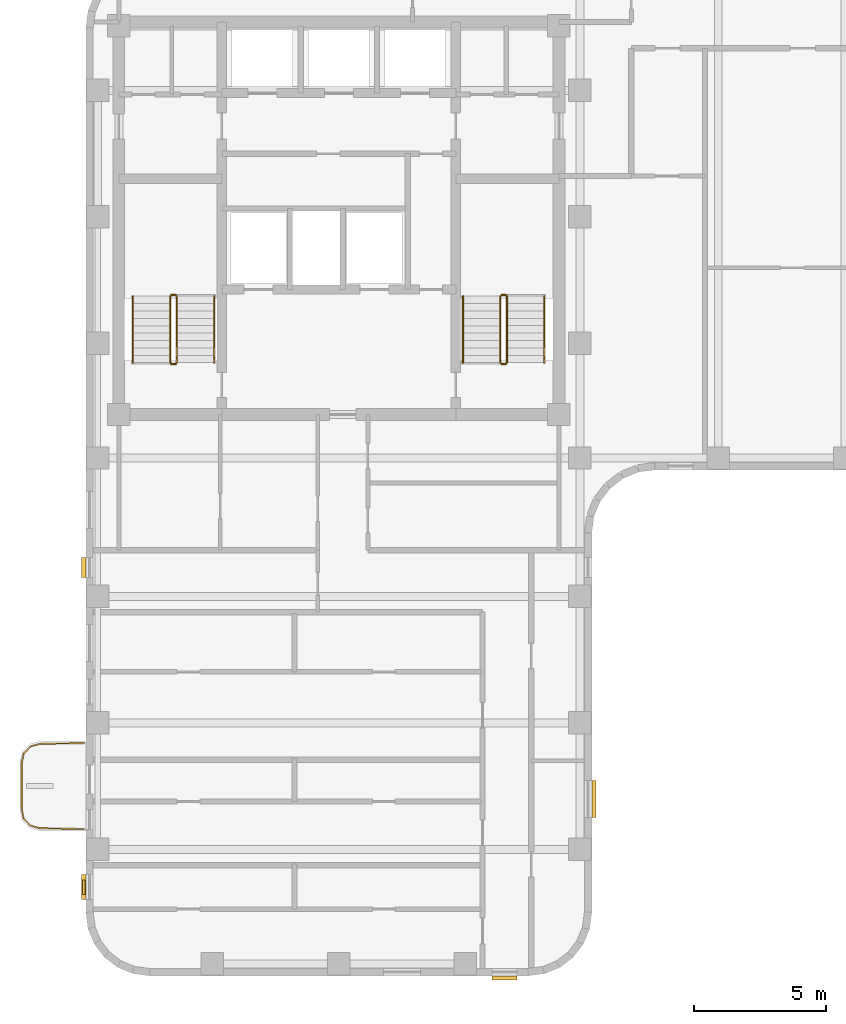
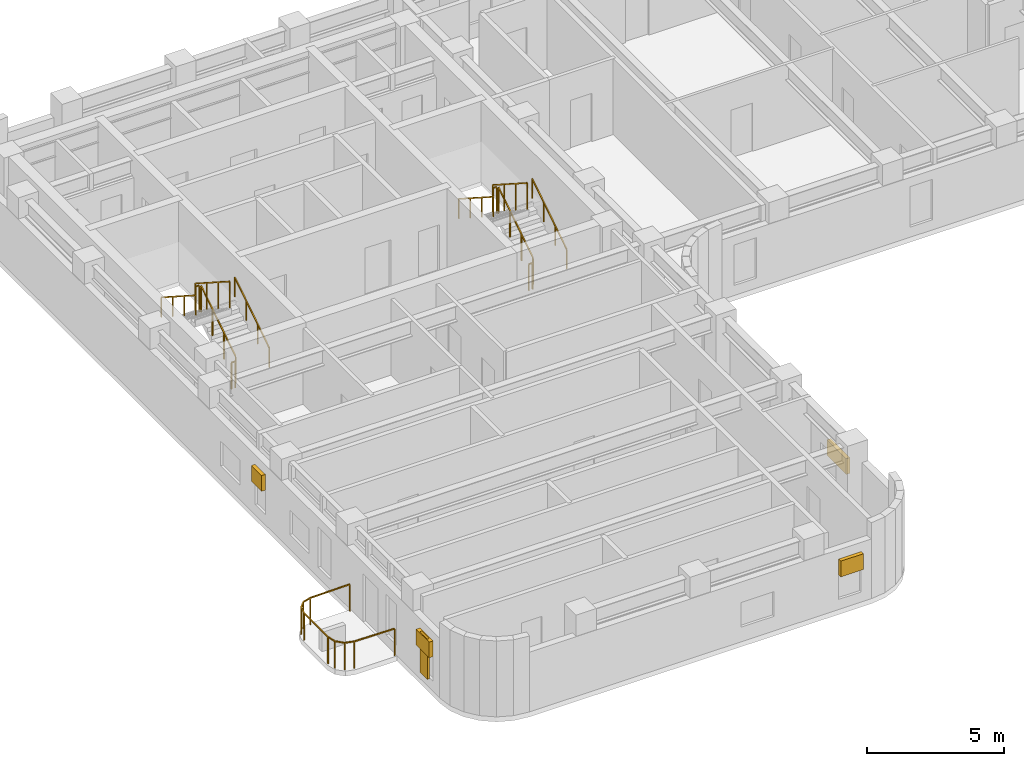
# One storey, part 8 of 10: 13 railings, 5 shading devices.
"""IFC4 building model written with IfcOpenShell, lengths in metres."""

from ifc_helpers import new_model, si_unit, direction, frame, origin, origin_2d, place, context, subcontext, project, spatial, rectangle, extrude, material, type_object, element, save


model = new_model("IFC4")

# Units and contexts
model_context = context("Model", 3, precision=1e-05, world=origin(), true_north=direction((0.0, 1.0)))
body_context = subcontext(model_context, "Body", "Model", "MODEL_VIEW")
ifc_project = project(units=[si_unit("LENGTHUNIT", "METRE"), si_unit("AREAUNIT", "SQUARE_METRE"), si_unit("VOLUMEUNIT", "CUBIC_METRE"), si_unit("PLANEANGLEUNIT", "RADIAN"), si_unit("MASSUNIT", "GRAM", prefix="KILO")], contexts=[model_context])

# Site, building, storey
site_placement = place(None, origin())
site = spatial("IfcSite", under=ifc_project, at=site_placement, CompositionType="ELEMENT")
building_placement = place(site_placement, origin())
building = spatial("IfcBuilding", under=site, at=building_placement, Name="Orvandelia Arch Residences", CompositionType="ELEMENT")
storey_placement = place(building_placement, frame((0.0, 0.0, 232.60009765625)))
storey = spatial("IfcBuildingStorey", under=building, at=storey_placement, Name="L61", CompositionType="ELEMENT", Elevation=232.60009765625)

# Railings
ifc_material_1 = material(Name="Marine-Grade Stainless Steel 316", Category="steel")
railing_type_1 = type_object("IfcRailingType", Name="GRD-BAL-1200", PredefinedType="BALUSTRADE", material=ifc_material_1)
railing_1_placement = place(storey_placement, frame((4.728271484375, 18.430419921875, 0.0)))
element("IfcRailing", 1, at=railing_1_placement, inside=storey, type_object=railing_type_1, Name="Safety Balustrade Guard GRD-L61-BAL-L61-W1-1", PredefinedType="BALUSTRADE", context=body_context, shape_type="SweptSolid", body=[
    extrude(rectangle(XDim=0.048095703125, YDim=0.048095703125, at=origin_2d()), frame((0.0, 0.0, 1.19580078125), z_axis=(-0.999834751713, -0.018178813668, 0.0), x_axis=(0.018178813668, -0.999834751713, 0.0)), (0.0, 0.0, 1.0), 1.6787109375),
    extrude(rectangle(XDim=0.048095703125, YDim=0.048095703125, at=origin_2d()), frame((-1.678466796875, -0.030517578125, 1.19580078125), z_axis=(-0.96348920644, -0.267747173792, 0.0), x_axis=(0.267747173792, -0.96348920644, 0.0)), (0.0, 0.0, 1.0), 0.36572265625),
    extrude(rectangle(XDim=0.048095703125, YDim=0.048095703125, at=origin_2d()), frame((-2.03076171875, -0.12841796875, 1.19580078125), z_axis=(-0.688627404251, -0.725115368831, 0.0), x_axis=(0.725115368831, -0.688627404251, 0.0)), (0.0, 0.0, 1.0), 0.367919921875),
    extrude(rectangle(XDim=0.048095703125, YDim=0.048095703125, at=origin_2d()), frame((-2.2841796875, -0.395263671875, 1.19580078125), z_axis=(-0.220602419982, -0.975363815352, 0.0), x_axis=(0.975363815352, -0.220602419982, 0.0)), (0.0, 0.0, 1.0), 0.373046875),
    extrude(rectangle(XDim=0.048095703125, YDim=0.048095703125, at=origin_2d()), frame((-2.366455078125, -0.759033203125, 1.19580078125), z_axis=(0.0, -1.0, 0.0), x_axis=(1.0, 0.0, 0.0)), (0.0, 0.0, 1.0), 1.74267578125),
    extrude(rectangle(XDim=0.048095703125, YDim=0.048095703125, at=origin_2d()), frame((-2.366455078125, -2.501708984375, 1.19580078125), z_axis=(0.220602419982, -0.975363815352, 0.0), x_axis=(0.975363815352, 0.220602419982, 0.0)), (0.0, 0.0, 1.0), 0.373046875),
    extrude(rectangle(XDim=0.048095703125, YDim=0.048095703125, at=origin_2d()), frame((-2.2841796875, -2.865478515625, 1.19580078125), z_axis=(0.688296224633, -0.725429739642, 0.0), x_axis=(0.725429739642, 0.688296224633, 0.0)), (0.0, 0.0, 1.0), 0.3681640625),
    extrude(rectangle(XDim=0.048095703125, YDim=0.048095703125, at=origin_2d()), frame((-2.03076171875, -3.132568359375, 1.19580078125), z_axis=(0.96348920644, -0.267747173792, 0.0), x_axis=(0.267747173792, 0.96348920644, 0.0)), (0.0, 0.0, 1.0), 0.36572265625),
    extrude(rectangle(XDim=0.048095703125, YDim=0.048095703125, at=origin_2d()), frame((-1.678466796875, -3.23046875, 1.19580078125), z_axis=(0.999837384468, -0.018033430643, 0.0), x_axis=(0.018033430643, 0.999837384468, 0.0)), (0.0, 0.0, 1.0), 1.6787109375),
    extrude(rectangle(XDim=0.0419921875, YDim=0.0419921875, at=origin_2d()), origin(), (0.0, 0.0, 1.0), 1.171875),
    extrude(rectangle(XDim=0.0419921875, YDim=0.0419921875, at=origin_2d()), frame((-1.678466796875, -0.030517578125, 0.0)), (0.0, 0.0, 1.0), 1.171875),
    extrude(rectangle(XDim=0.0419921875, YDim=0.0419921875, at=origin_2d()), frame((-2.03076171875, -0.12841796875, 0.0)), (0.0, 0.0, 1.0), 1.171875),
    extrude(rectangle(XDim=0.0419921875, YDim=0.0419921875, at=origin_2d()), frame((-2.2841796875, -0.395263671875, 0.0)), (0.0, 0.0, 1.0), 1.171875),
    extrude(rectangle(XDim=0.0419921875, YDim=0.0419921875, at=origin_2d()), frame((-2.366455078125, -0.759033203125, 0.0)), (0.0, 0.0, 1.0), 1.171875),
    extrude(rectangle(XDim=0.0419921875, YDim=0.0419921875, at=origin_2d()), frame((-2.366455078125, -2.501708984375, 0.0)), (0.0, 0.0, 1.0), 1.171875),
    extrude(rectangle(XDim=0.0419921875, YDim=0.0419921875, at=origin_2d()), frame((-2.2841796875, -2.865478515625, 0.0)), (0.0, 0.0, 1.0), 1.171875),
    extrude(rectangle(XDim=0.0419921875, YDim=0.0419921875, at=origin_2d()), frame((-2.03076171875, -3.132568359375, 0.0)), (0.0, 0.0, 1.0), 1.171875),
    extrude(rectangle(XDim=0.0419921875, YDim=0.0419921875, at=origin_2d()), frame((-1.678466796875, -3.23046875, 0.0)), (0.0, 0.0, 1.0), 1.171875),
    extrude(rectangle(XDim=0.0419921875, YDim=0.0419921875, at=origin_2d()), frame((0.0, -3.2607421875, 0.0)), (0.0, 0.0, 1.0), 1.171875),
])
ifc_material_2 = material(Name="Brushed Stainless Steel 304", Category="steel")
railing_type_2 = type_object("IfcRailingType", Name="RL-STAIR-GD1120", PredefinedType="GUARDRAIL", material=ifc_material_2)
railing_2_placement = place(storey_placement, frame((8.25, 32.8701171875, 0.179931640625)))
element("IfcRailing", 2, at=railing_2_placement, inside=storey, type_object=railing_type_2, Name="L61 ST-1 stair guard 1", PredefinedType="GUARDRAIL", context=body_context, shape_type="SweptSolid", body=[
    extrude(rectangle(XDim=0.048095703125, YDim=0.048095703125, at=origin_2d()), frame((0.0, 0.0, 1.17578125), z_axis=(0.0, 0.841175827307, 0.540761710511), x_axis=(-1.0, 0.0, 0.0)), (0.0, 0.0, 1.0), 2.99560546875),
    extrude(rectangle(XDim=0.0419921875, YDim=0.0419921875, at=origin_2d()), origin(), (0.0, 0.0, 1.0), 1.15185546875),
    extrude(rectangle(XDim=0.0419921875, YDim=0.0419921875, at=origin_2d()), frame((0.0, 0.83984375, 0.5400390625)), (0.0, 0.0, 1.0), 1.15185546875),
    extrude(rectangle(XDim=0.0419921875, YDim=0.0419921875, at=origin_2d()), frame((0.0, 1.679931640625, 1.079833984375)), (0.0, 0.0, 1.0), 1.15185546875),
    extrude(rectangle(XDim=0.0419921875, YDim=0.0419921875, at=origin_2d()), frame((0.0, 2.519775390625, 1.619873046875)), (0.0, 0.0, 1.0), 1.15185546875),
])
railing_3_placement = place(storey_placement, frame((8.199951171875, 35.43994140625, 1.7998046875)))
element("IfcRailing", 3, at=railing_3_placement, inside=storey, type_object=railing_type_2, Name="L61 ST-1 stair guard 2", PredefinedType="GUARDRAIL", context=body_context, shape_type="SweptSolid", body=[
    extrude(rectangle(XDim=0.048095703125, YDim=0.048095703125, at=origin_2d()), frame((0.0, 0.0, 1.17578125), z_axis=(-1.0, 0.0, 0.0), x_axis=(0.0, -1.0, 0.0)), (0.0, 0.0, 1.0), 0.14990234375),
    extrude(rectangle(XDim=0.0419921875, YDim=0.0419921875, at=origin_2d()), origin(), (0.0, 0.0, 1.0), 1.15185546875),
    extrude(rectangle(XDim=0.0419921875, YDim=0.0419921875, at=origin_2d()), frame((-0.14990234375, 0.0, 0.0)), (0.0, 0.0, 1.0), 1.15185546875),
])
railing_4_placement = place(storey_placement, frame((8.0, 35.389892578125, 1.97998046875)))
element("IfcRailing", 4, at=railing_4_placement, inside=storey, type_object=railing_type_2, Name="L61 ST-1 stair guard 3", PredefinedType="GUARDRAIL", context=body_context, shape_type="SweptSolid", body=[
    extrude(rectangle(XDim=0.048095703125, YDim=0.048095703125, at=origin_2d()), frame((0.0, 0.0, 1.17578125), z_axis=(0.0, -0.841175827307, 0.540761710511), x_axis=(1.0, 0.0, 0.0)), (0.0, 0.0, 1.0), 2.99560546875),
    extrude(rectangle(XDim=0.0419921875, YDim=0.0419921875, at=origin_2d()), origin(), (0.0, 0.0, 1.0), 1.15185546875),
    extrude(rectangle(XDim=0.0419921875, YDim=0.0419921875, at=origin_2d()), frame((0.0, -0.83984375, 0.5400390625)), (0.0, 0.0, 1.0), 1.15185546875),
    extrude(rectangle(XDim=0.0419921875, YDim=0.0419921875, at=origin_2d()), frame((0.0, -1.679931640625, 1.079833984375)), (0.0, 0.0, 1.0), 1.15185546875),
    extrude(rectangle(XDim=0.0419921875, YDim=0.0419921875, at=origin_2d()), frame((0.0, -2.519775390625, 1.619873046875)), (0.0, 0.0, 1.0), 1.15185546875),
])
railing_5_placement = place(storey_placement, frame((8.199951171875, 32.820068359375, 0.0)))
element("IfcRailing", 5, at=railing_5_placement, inside=storey, type_object=railing_type_2, Name="L61 ST-1 stair guard 4", PredefinedType="GUARDRAIL", context=body_context, shape_type="SweptSolid", body=[
    extrude(rectangle(XDim=0.048095703125, YDim=0.048095703125, at=origin_2d()), frame((0.0, 0.0, 1.17578125), z_axis=(-1.0, 0.0, 0.0), x_axis=(0.0, -1.0, 0.0)), (0.0, 0.0, 1.0), 0.14990234375),
    extrude(rectangle(XDim=0.0419921875, YDim=0.0419921875, at=origin_2d()), origin(), (0.0, 0.0, 1.0), 1.15185546875),
    extrude(rectangle(XDim=0.0419921875, YDim=0.0419921875, at=origin_2d()), frame((-0.14990234375, 0.0, 0.0)), (0.0, 0.0, 1.0), 1.15185546875),
])
railing_6_placement = place(storey_placement, frame((20.780029296875, 32.8701171875, 0.179931640625)))
element("IfcRailing", 6, at=railing_6_placement, inside=storey, type_object=railing_type_2, Name="L61 ST-2 stair guard 1", PredefinedType="GUARDRAIL", context=body_context, shape_type="SweptSolid", body=[
    extrude(rectangle(XDim=0.048095703125, YDim=0.048095703125, at=origin_2d()), frame((0.0, 0.0, 1.17578125), z_axis=(0.0, 0.841175827307, 0.540761710511), x_axis=(-1.0, 0.0, 0.0)), (0.0, 0.0, 1.0), 2.99560546875),
    extrude(rectangle(XDim=0.0419921875, YDim=0.0419921875, at=origin_2d()), origin(), (0.0, 0.0, 1.0), 1.15185546875),
    extrude(rectangle(XDim=0.0419921875, YDim=0.0419921875, at=origin_2d()), frame((0.0, 0.83984375, 0.5400390625)), (0.0, 0.0, 1.0), 1.15185546875),
    extrude(rectangle(XDim=0.0419921875, YDim=0.0419921875, at=origin_2d()), frame((0.0, 1.679931640625, 1.079833984375)), (0.0, 0.0, 1.0), 1.15185546875),
    extrude(rectangle(XDim=0.0419921875, YDim=0.0419921875, at=origin_2d()), frame((0.0, 2.519775390625, 1.619873046875)), (0.0, 0.0, 1.0), 1.15185546875),
])
railing_7_placement = place(storey_placement, frame((20.72998046875, 35.43994140625, 1.7998046875)))
element("IfcRailing", 7, at=railing_7_placement, inside=storey, type_object=railing_type_2, Name="L61 ST-2 stair guard 2", PredefinedType="GUARDRAIL", context=body_context, shape_type="SweptSolid", body=[
    extrude(rectangle(XDim=0.048095703125, YDim=0.048095703125, at=origin_2d()), frame((0.0, 0.0, 1.17578125), z_axis=(-1.0, 0.0, 0.0), x_axis=(0.0, -1.0, 0.0)), (0.0, 0.0, 1.0), 0.14990234375),
    extrude(rectangle(XDim=0.0419921875, YDim=0.0419921875, at=origin_2d()), origin(), (0.0, 0.0, 1.0), 1.15185546875),
    extrude(rectangle(XDim=0.0419921875, YDim=0.0419921875, at=origin_2d()), frame((-0.14990234375, 0.0, 0.0)), (0.0, 0.0, 1.0), 1.15185546875),
])
railing_8_placement = place(storey_placement, frame((20.530029296875, 35.389892578125, 1.97998046875)))
element("IfcRailing", 8, at=railing_8_placement, inside=storey, type_object=railing_type_2, Name="L61 ST-2 stair guard 3", PredefinedType="GUARDRAIL", context=body_context, shape_type="SweptSolid", body=[
    extrude(rectangle(XDim=0.048095703125, YDim=0.048095703125, at=origin_2d()), frame((0.0, 0.0, 1.17578125), z_axis=(0.0, -0.841175827307, 0.540761710511), x_axis=(1.0, 0.0, 0.0)), (0.0, 0.0, 1.0), 2.99560546875),
    extrude(rectangle(XDim=0.0419921875, YDim=0.0419921875, at=origin_2d()), origin(), (0.0, 0.0, 1.0), 1.15185546875),
    extrude(rectangle(XDim=0.0419921875, YDim=0.0419921875, at=origin_2d()), frame((0.0, -0.83984375, 0.5400390625)), (0.0, 0.0, 1.0), 1.15185546875),
    extrude(rectangle(XDim=0.0419921875, YDim=0.0419921875, at=origin_2d()), frame((0.0, -1.679931640625, 1.079833984375)), (0.0, 0.0, 1.0), 1.15185546875),
    extrude(rectangle(XDim=0.0419921875, YDim=0.0419921875, at=origin_2d()), frame((0.0, -2.519775390625, 1.619873046875)), (0.0, 0.0, 1.0), 1.15185546875),
])
railing_9_placement = place(storey_placement, frame((20.72998046875, 32.820068359375, 0.0)))
element("IfcRailing", 9, at=railing_9_placement, inside=storey, type_object=railing_type_2, Name="L61 ST-2 stair guard 4", PredefinedType="GUARDRAIL", context=body_context, shape_type="SweptSolid", body=[
    extrude(rectangle(XDim=0.048095703125, YDim=0.048095703125, at=origin_2d()), frame((0.0, 0.0, 1.17578125), z_axis=(-1.0, 0.0, 0.0), x_axis=(0.0, -1.0, 0.0)), (0.0, 0.0, 1.0), 0.14990234375),
    extrude(rectangle(XDim=0.0419921875, YDim=0.0419921875, at=origin_2d()), origin(), (0.0, 0.0, 1.0), 1.15185546875),
    extrude(rectangle(XDim=0.0419921875, YDim=0.0419921875, at=origin_2d()), frame((-0.14990234375, 0.0, 0.0)), (0.0, 0.0, 1.0), 1.15185546875),
])
railing_type_3 = type_object("IfcRailingType", Name="RL-STAIR-HR920", PredefinedType="HANDRAIL", material=ifc_material_2)
railing_10_placement = place(storey_placement, frame((9.669921875, 32.8701171875, 0.35986328125)))
element("IfcRailing", 10, at=railing_10_placement, inside=storey, type_object=railing_type_3, Name="L61 ST-1 stair handrail 1", PredefinedType="HANDRAIL", context=body_context, shape_type="SweptSolid", body=[
    extrude(rectangle(XDim=0.048095703125, YDim=0.048095703125, at=origin_2d()), frame((0.0, 0.0, 0.8759765625), z_axis=(0.0, 0.841138753965, 0.540819375188), x_axis=(-1.0, 0.0, 0.0)), (0.0, 0.0, 1.0), 2.99560546875),
    extrude(rectangle(XDim=0.0419921875, YDim=0.0419921875, at=origin_2d()), origin(), (0.0, 0.0, 1.0), 0.851806640625),
    extrude(rectangle(XDim=0.0419921875, YDim=0.0419921875, at=origin_2d()), frame((0.0, 0.83984375, 0.5400390625)), (0.0, 0.0, 1.0), 0.851806640625),
    extrude(rectangle(XDim=0.0419921875, YDim=0.0419921875, at=origin_2d()), frame((0.0, 1.679931640625, 1.080078125)), (0.0, 0.0, 1.0), 0.851806640625),
    extrude(rectangle(XDim=0.0419921875, YDim=0.0419921875, at=origin_2d()), frame((0.0, 2.519775390625, 1.6201171875)), (0.0, 0.0, 1.0), 0.851806640625),
])
railing_11_placement = place(storey_placement, frame((6.580078125, 35.389892578125, 2.159912109375)))
element("IfcRailing", 11, at=railing_11_placement, inside=storey, type_object=railing_type_3, Name="L61 ST-1 stair handrail 2", PredefinedType="HANDRAIL", context=body_context, shape_type="SweptSolid", body=[
    extrude(rectangle(XDim=0.048095703125, YDim=0.048095703125, at=origin_2d()), frame((0.0, 0.0, 0.8759765625), z_axis=(0.0, -0.841175827307, 0.540761710511), x_axis=(1.0, 0.0, 0.0)), (0.0, 0.0, 1.0), 2.99560546875),
    extrude(rectangle(XDim=0.0419921875, YDim=0.0419921875, at=origin_2d()), origin(), (0.0, 0.0, 1.0), 0.851806640625),
    extrude(rectangle(XDim=0.0419921875, YDim=0.0419921875, at=origin_2d()), frame((0.0, -0.83984375, 0.5400390625)), (0.0, 0.0, 1.0), 0.851806640625),
    extrude(rectangle(XDim=0.0419921875, YDim=0.0419921875, at=origin_2d()), frame((0.0, -1.679931640625, 1.079833984375)), (0.0, 0.0, 1.0), 0.851806640625),
    extrude(rectangle(XDim=0.0419921875, YDim=0.0419921875, at=origin_2d()), frame((0.0, -2.519775390625, 1.619873046875)), (0.0, 0.0, 1.0), 0.851806640625),
])
railing_12_placement = place(storey_placement, frame((22.199951171875, 32.8701171875, 0.35986328125)))
element("IfcRailing", 12, at=railing_12_placement, inside=storey, type_object=railing_type_3, Name="L61 ST-2 stair handrail 1", PredefinedType="HANDRAIL", context=body_context, shape_type="SweptSolid", body=[
    extrude(rectangle(XDim=0.048095703125, YDim=0.048095703125, at=origin_2d()), frame((0.0, 0.0, 0.8759765625), z_axis=(0.0, 0.841138753965, 0.540819375188), x_axis=(-1.0, 0.0, 0.0)), (0.0, 0.0, 1.0), 2.99560546875),
    extrude(rectangle(XDim=0.0419921875, YDim=0.0419921875, at=origin_2d()), origin(), (0.0, 0.0, 1.0), 0.851806640625),
    extrude(rectangle(XDim=0.0419921875, YDim=0.0419921875, at=origin_2d()), frame((0.0, 0.83984375, 0.5400390625)), (0.0, 0.0, 1.0), 0.851806640625),
    extrude(rectangle(XDim=0.0419921875, YDim=0.0419921875, at=origin_2d()), frame((0.0, 1.679931640625, 1.080078125)), (0.0, 0.0, 1.0), 0.851806640625),
    extrude(rectangle(XDim=0.0419921875, YDim=0.0419921875, at=origin_2d()), frame((0.0, 2.519775390625, 1.6201171875)), (0.0, 0.0, 1.0), 0.851806640625),
])
railing_13_placement = place(storey_placement, frame((19.110107421875, 35.389892578125, 2.159912109375)))
element("IfcRailing", 13, at=railing_13_placement, inside=storey, type_object=railing_type_3, Name="L61 ST-2 stair handrail 2", PredefinedType="HANDRAIL", context=body_context, shape_type="SweptSolid", body=[
    extrude(rectangle(XDim=0.048095703125, YDim=0.048095703125, at=origin_2d()), frame((0.0, 0.0, 0.8759765625), z_axis=(0.0, -0.841175827307, 0.540761710511), x_axis=(1.0, 0.0, 0.0)), (0.0, 0.0, 1.0), 2.99560546875),
    extrude(rectangle(XDim=0.0419921875, YDim=0.0419921875, at=origin_2d()), origin(), (0.0, 0.0, 1.0), 0.851806640625),
    extrude(rectangle(XDim=0.0419921875, YDim=0.0419921875, at=origin_2d()), frame((0.0, -0.83984375, 0.5400390625)), (0.0, 0.0, 1.0), 0.851806640625),
    extrude(rectangle(XDim=0.0419921875, YDim=0.0419921875, at=origin_2d()), frame((0.0, -1.679931640625, 1.079833984375)), (0.0, 0.0, 1.0), 0.851806640625),
    extrude(rectangle(XDim=0.0419921875, YDim=0.0419921875, at=origin_2d()), frame((0.0, -2.519775390625, 1.619873046875)), (0.0, 0.0, 1.0), 0.851806640625),
])

# Shading devices
ifc_material_3 = material(Name="Anodised Champagne-Bronze Extruded Aluminium", Category="aluminium")
shading_device_type_1 = type_object("IfcShadingDeviceType", Name="SHD-JALOUSIE-SCREEN", PredefinedType="JALOUSIE", material=ifc_material_3)
shading_device_1_placement = place(storey_placement, frame((24.080078125, 16.302490234375, 1.0498046875), z_axis=(0.0, 0.0, 1.0), x_axis=(0.0, -1.0, 0.0)))
element("IfcShadingDevice", 14, at=shading_device_1_placement, inside=storey, type_object=shading_device_type_1, Name="Bronze Jalousie Sun-Shade L61-004", PredefinedType="JALOUSIE", context=body_context, shape_type="SweptSolid", body=[
    extrude(rectangle(XDim=1.39990234375, YDim=0.159912109375, at=origin_2d()), origin(), (0.0, 0.0, 1.0), 0.699951171875),
])
for number, where, z_axis, x_axis, name in (
    (15, (20.695068359375, 9.52001953125, 1.5498046875), (0.0, 0.0, 1.0), (-1.0, 0.0, 0.0), "Bronze Jalousie Sun-Shade L61-005"),
    (16, (4.719970703125, 12.965087890625, 1.5498046875), (0.0, 0.0, 1.0), (0.0, 1.0, 0.0), "Bronze Jalousie Sun-Shade L61-006"),
):
    element("IfcShadingDevice", number, at=place(storey_placement, frame(where, z_axis=z_axis, x_axis=x_axis)), inside=storey, type_object=shading_device_type_1, Name=name, PredefinedType="JALOUSIE", context=body_context, shape_type="SweptSolid", body=[
        extrude(rectangle(XDim=0.949951171875, YDim=0.159912109375, at=origin_2d()), origin(), (0.0, 0.0, 1.0), 0.699951171875),
    ])
shading_device_2_placement = place(storey_placement, frame((4.719970703125, 25.092529296875, 1.5498046875), z_axis=(0.0, 0.0, 1.0), x_axis=(0.0, 1.0, 0.0)))
element("IfcShadingDevice", 17, at=shading_device_2_placement, inside=storey, type_object=shading_device_type_1, Name="Bronze Jalousie Sun-Shade L61-007", PredefinedType="JALOUSIE", context=body_context, shape_type="SweptSolid", body=[
    extrude(rectangle(XDim=0.75, YDim=0.159912109375, at=origin_2d()), origin(), (0.0, 0.0, 1.0), 0.699951171875),
])
ifc_material_4 = material(Name="Marine-Grade Perforated Aluminium Storm Shutter", Category="aluminium")
shading_device_type_2 = type_object("IfcShadingDeviceType", Name="SHD-STORM-SHUTTER", PredefinedType="SHUTTER", material=ifc_material_4)
shading_device_3_placement = place(storey_placement, frame((4.719970703125, 12.965087890625, 0.44970703125), z_axis=(0.0, 0.0, 1.0), x_axis=(0.0, 1.0, 0.0)))
element("IfcShadingDevice", 18, at=shading_device_3_placement, inside=storey, type_object=shading_device_type_2, Name="Operable Typhoon Storm Shutter L61-006", PredefinedType="SHUTTER", context=body_context, shape_type="SweptSolid", body=[
    extrude(rectangle(XDim=0.550048828125, YDim=0.080078125, at=origin_2d()), origin(), (0.0, 0.0, 1.0), 1.800048828125),
])

save(model, "model.ifc")
